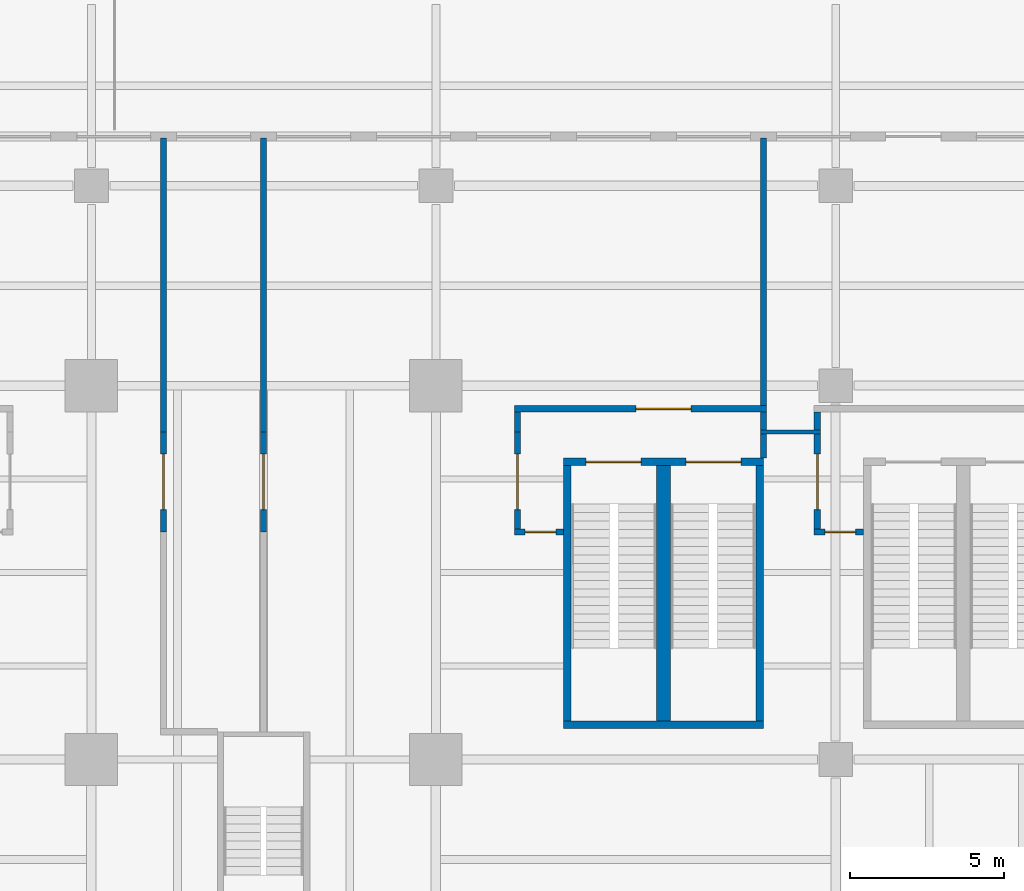
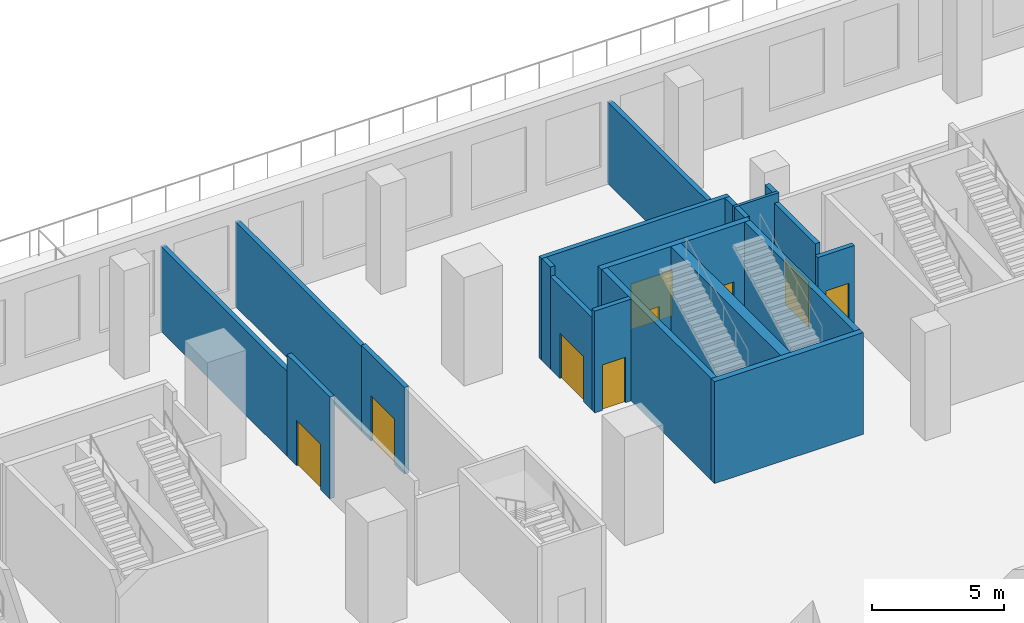
# One storey, part 14 of 18: 20 walls, 9 doors, 9 openings.
"""IFC4 building model written with IfcOpenShell, lengths in metres."""

from ifc_helpers import new_model, si_unit, direction, frame, frame_2d, origin, place, context, subcontext, project, spatial, rectangle, extrude, source, transform, mapped, material, layer, layer_set, type_object, element, fill, save


model = new_model("IFC4")

# Units and contexts
model_context = context("Model", 3, precision=1e-05, world=origin(), true_north=direction((0.0, 1.0)))
body_context = subcontext(model_context, "Body", "Model", "MODEL_VIEW")
ifc_project = project(units=[si_unit("LENGTHUNIT", "METRE"), si_unit("AREAUNIT", "SQUARE_METRE"), si_unit("VOLUMEUNIT", "CUBIC_METRE"), si_unit("PLANEANGLEUNIT", "RADIAN"), si_unit("MASSUNIT", "GRAM", prefix="KILO")], contexts=[model_context])

# Site, building, storey
site_placement = place(None, origin())
site = spatial("IfcSite", under=ifc_project, at=site_placement, CompositionType="ELEMENT")
building_placement = place(site_placement, origin())
building = spatial("IfcBuilding", under=site, at=building_placement, Name="Trellis Farm Tower", CompositionType="ELEMENT")
storey_placement = place(building_placement, frame((0.0, 0.0, 14.0)))
storey = spatial("IfcBuildingStorey", under=building, at=storey_placement, Name="L02", CompositionType="ELEMENT", Elevation=14.0)

# Wall, opening, door
ifc_material_1 = material(Name="Lightweight blockwork, plastered", Category="masonry")
ifc_layer_1 = layer(ifc_material_1, 0.199951171875)
ifc_layer_set_1 = layer_set([ifc_layer_1], Name="BLOCK WALL 200 EI 120")
wall_type_1 = type_object("IfcWallType", Name="BLOCK WALL 200 EI 120", PredefinedType="PARTITIONING", material=ifc_layer_set_1)
shared_shape_1 = source(origin(), body_context, "Body", "SweptSolid", [
    extrude(rectangle(XDim=3.25, YDim=0.199951171875, at=frame_2d((1.625, 0.0))), origin(), (0.0, 0.0, 1.0), 4.699951171875),
])
wall_1_placement = place(storey_placement, frame((-3.25, 26.0, 0.0), z_axis=(0.0, 0.0, 1.0), x_axis=(0.0, 1.0, 0.0)))
wall_1 = element("IfcWall", 1, at=wall_1_placement, inside=storey, type_object=wall_type_1, Name="Partition PW3", PredefinedType="PARTITIONING", context=body_context, shape_type="MappedRepresentation", body=[
    mapped(shared_shape_1, transform((0.0, 0.0, 0.0))),
])
shared_shape_2 = source(origin(), body_context, "Body", "SweptSolid", [
    extrude(rectangle(XDim=1.800048828125, YDim=2.10009765625, at=frame_2d((0.89990234375, 1.050048828125))), frame((0.0, 0.110107421875, 0.0), z_axis=(0.0, -1.0, 0.0), x_axis=(1.0, 0.0, 0.0)), (0.0, 0.0, 1.0), 0.22021484375),
])
opening_1_placement = place(wall_1_placement, frame((0.72509765625, 0.0, 0.0)))
opening_1 = element("IfcOpeningElement", 2, at=opening_1_placement, cuts=wall_1, Name="Opening D415", PredefinedType="OPENING", context=body_context, shape_type="MappedRepresentation", body=[
    mapped(shared_shape_2, transform((0.0, 0.0, 0.0))),
])
ifc_material_2 = material(Name="Fire-rated timber door leaf in a hollow metal frame", Category="wood")
door_type_1 = type_object("IfcDoorType", Name="DOOR PAIR 1800x2100 FD60", OperationType="NOTDEFINED", PredefinedType="DOOR", material=ifc_material_2)
shared_shape_3 = source(origin(), body_context, "Body", "SweptSolid", [
    extrude(rectangle(XDim=1.800048828125, YDim=2.10009765625, at=frame_2d((0.89990234375, 1.050048828125))), frame((0.0, 0.02490234375, 0.0), z_axis=(0.0, -1.0, 0.0), x_axis=(1.0, 0.0, 0.0)), (0.0, 0.0, 1.0), 0.050048828125),
])
door_1_placement = place(opening_1_placement, origin())
door_1 = element("IfcDoor", 3, at=door_1_placement, inside=storey, type_object=door_type_1, Name="Door D415", OperationType="DOUBLE_DOOR_SINGLE_SWING", OverallHeight=2.10009765625, OverallWidth=1.800048828125, PredefinedType="DOOR", context=body_context, shape_type="MappedRepresentation", body=[
    mapped(shared_shape_3, transform((0.0, 0.0, 0.0))),
])
fill(opening_1, door_1)

# Wall, openings, doors
ifc_material_3 = material(Name="Concrete C80/95", Category="concrete")
ifc_layer_2 = layer(ifc_material_3, 0.25)
ifc_layer_set_2 = layer_set([ifc_layer_2], Name="CORE STAIR ENCLOSURE WALL 250 CONCRETE C80/95")
wall_type_2 = type_object("IfcWallType", Name="CORE STAIR ENCLOSURE WALL 250 CONCRETE C80/95", PredefinedType="SHEAR", material=ifc_layer_set_2)
shared_shape_4 = source(origin(), body_context, "Body", "SweptSolid", [
    extrude(rectangle(XDim=6.5, YDim=0.25, at=frame_2d((3.25, 0.0))), origin(), (0.0, 0.0, 1.0), 4.699951171875),
])
wall_2_placement = place(storey_placement, frame((9.75, 28.27490234375, 0.0), z_axis=(0.0, 0.0, 1.0), x_axis=(1.0, 0.0, 0.0)))
wall_2 = element("IfcWall", 4, at=wall_2_placement, inside=storey, type_object=wall_type_2, Name="Podium stair enclosure wall", PredefinedType="SHEAR", context=body_context, shape_type="MappedRepresentation", body=[
    mapped(shared_shape_4, transform((0.0, 0.0, 0.0))),
])
shared_shape_5 = source(origin(), body_context, "Body", "SweptSolid", [
    extrude(rectangle(XDim=1.800048828125, YDim=2.10009765625, at=frame_2d((0.89990234375, 1.050048828125))), frame((0.0, 0.135009765625, 0.0), z_axis=(0.0, -1.0, 0.0), x_axis=(1.0, 0.0, 0.0)), (0.0, 0.0, 1.0), 0.27001953125),
])
opening_2_placement = place(wall_2_placement, frame((0.72509765625, 0.0, 0.0)))
opening_2 = element("IfcOpeningElement", 5, at=opening_2_placement, cuts=wall_2, Name="Opening DP5", PredefinedType="OPENING", context=body_context, shape_type="MappedRepresentation", body=[
    mapped(shared_shape_5, transform((0.0, 0.0, 0.0))),
])
opening_3_placement = place(wall_2_placement, frame((3.97509765625, 0.0, 0.0)))
opening_3 = element("IfcOpeningElement", 6, at=opening_3_placement, cuts=wall_2, Name="Opening DP6", PredefinedType="OPENING", context=body_context, shape_type="MappedRepresentation", body=[
    mapped(shared_shape_5, transform((0.0, 0.0, 0.0))),
])
ifc_material_4 = material(Name="Steel", Category="steel")
door_type_2 = type_object("IfcDoorType", Name="CORE FIRE DOOR DOUBLE 1800 X 2100", OperationType="DOUBLE_DOOR_SINGLE_SWING", PredefinedType="DOOR", material=ifc_material_4)
door_2_placement = place(opening_2_placement, origin())
door_2 = element("IfcDoor", 7, at=door_2_placement, inside=storey, type_object=door_type_2, Name="Podium stair door", OperationType="DOUBLE_DOOR_SINGLE_SWING", OverallHeight=2.10009765625, OverallWidth=1.800048828125, PredefinedType="DOOR", context=body_context, shape_type="MappedRepresentation", body=[
    mapped(shared_shape_3, transform((0.0, 0.0, 0.0))),
])
fill(opening_2, door_2)
door_3_placement = place(opening_3_placement, origin())
door_3 = element("IfcDoor", 8, at=door_3_placement, inside=storey, type_object=door_type_2, Name="Podium stair door", OperationType="DOUBLE_DOOR_SINGLE_SWING", OverallHeight=2.10009765625, OverallWidth=1.800048828125, PredefinedType="DOOR", context=body_context, shape_type="MappedRepresentation", body=[
    mapped(shared_shape_3, transform((0.0, 0.0, 0.0))),
])
fill(opening_3, door_3)

# Walls
wall_3_placement = place(storey_placement, frame((9.75, 19.72509765625, 0.0), z_axis=(0.0, 0.0, 1.0), x_axis=(1.0, 0.0, 0.0)))
element("IfcWall", 9, at=wall_3_placement, inside=storey, type_object=wall_type_2, Name="Podium stair enclosure wall", PredefinedType="SHEAR", context=body_context, shape_type="MappedRepresentation", body=[
    mapped(shared_shape_4, transform((0.0, 0.0, 0.0))),
])
shared_shape_6 = source(origin(), body_context, "Body", "SweptSolid", [
    extrude(rectangle(XDim=8.2998046875, YDim=0.25, at=frame_2d((4.14990234375, 0.0))), origin(), (0.0, 0.0, 1.0), 4.699951171875),
])
for number, where, z_axis, x_axis, name in (
    (10, (9.875, 19.85009765625, 0.0), (0.0, 0.0, 1.0), (0.0, 1.0, 0.0), "Podium stair enclosure wall"),
    (11, (16.125, 19.85009765625, 0.0), (0.0, 0.0, 1.0), (0.0, 1.0, 0.0), "Podium stair enclosure wall"),
):
    element("IfcWall", number, at=place(storey_placement, frame(where, z_axis=z_axis, x_axis=x_axis)), inside=storey, type_object=wall_type_2, Name=name, PredefinedType="SHEAR", context=body_context, shape_type="MappedRepresentation", body=[
        mapped(shared_shape_6, transform((0.0, 0.0, 0.0))),
    ])
ifc_layer_3 = layer(ifc_material_3, 0.43994140625)
ifc_layer_set_3 = layer_set([ifc_layer_3], Name="CORE STAIR ENCLOSURE WALL 440 CONCRETE C80/95")
wall_type_3 = type_object("IfcWallType", Name="CORE STAIR ENCLOSURE WALL 440 CONCRETE C80/95", PredefinedType="SHEAR", material=ifc_layer_set_3)
shared_shape_7 = source(origin(), body_context, "Body", "SweptSolid", [
    extrude(rectangle(XDim=8.2998046875, YDim=0.43994140625, at=frame_2d((4.14990234375, 0.0))), origin(), (0.0, 0.0, 1.0), 4.699951171875),
])
wall_4_placement = place(storey_placement, frame((13.0, 19.85009765625, 0.0), z_axis=(0.0, 0.0, 1.0), x_axis=(0.0, 1.0, 0.0)))
element("IfcWall", 12, at=wall_4_placement, inside=storey, type_object=wall_type_3, Name="Podium stair enclosure wall", PredefinedType="SHEAR", context=body_context, shape_type="MappedRepresentation", body=[
    mapped(shared_shape_7, transform((0.0, 0.0, 0.0))),
])
shared_shape_8 = source(origin(), body_context, "Body", "SweptSolid", [
    extrude(rectangle(XDim=0.78759765625, YDim=0.199951171875, at=frame_2d((0.393798828125, 0.0))), origin(), (0.0, 0.0, 1.0), 4.699951171875),
])
wall_5_placement = place(storey_placement, frame((16.25, 28.39990234375, 0.0), z_axis=(0.0, 0.0, 1.0), x_axis=(0.0, 1.0, 0.0)))
element("IfcWall", 13, at=wall_5_placement, inside=storey, type_object=wall_type_1, Name="Partition PW3", PredefinedType="PARTITIONING", context=body_context, shape_type="MappedRepresentation", body=[
    mapped(shared_shape_8, transform((0.0, 0.0, 0.0))),
])
shared_shape_9 = source(origin(), body_context, "Body", "SweptSolid", [
    extrude(rectangle(XDim=0.58740234375, YDim=0.199951171875, at=frame_2d((0.293701171875, 0.0))), origin(), (0.0, 0.0, 1.0), 4.699951171875),
])
for number, where, z_axis, x_axis, name in (
    (14, (16.25, 29.89990234375, 0.0), (0.0, 0.0, 1.0), (0.0, -1.0, 0.0), "Partition PW3"),
    (15, (18.0, 29.89990234375, 0.0), (0.0, 0.0, 1.0), (0.0, -1.0, 0.0), "Partition PW3"),
):
    element("IfcWall", number, at=place(storey_placement, frame(where, z_axis=z_axis, x_axis=x_axis)), inside=storey, type_object=wall_type_1, Name=name, PredefinedType="PARTITIONING", context=body_context, shape_type="MappedRepresentation", body=[
        mapped(shared_shape_9, transform((0.0, 0.0, 0.0))),
    ])

# Wall, opening, door
shared_shape_10 = source(origin(), body_context, "Body", "SweptSolid", [
    extrude(rectangle(XDim=3.08740234375, YDim=0.199951171875, at=frame_2d((1.543701171875, 0.0))), origin(), (0.0, 0.0, 1.0), 4.273681640625),
])
wall_6_placement = place(storey_placement, frame((18.0, 26.10009765625, 0.0), z_axis=(0.0, 0.0, 1.0), x_axis=(0.0, 1.0, 0.0)))
wall_6 = element("IfcWall", 16, at=wall_6_placement, inside=storey, type_object=wall_type_1, Name="Partition PW3", PredefinedType="PARTITIONING", context=body_context, shape_type="MappedRepresentation", body=[
    mapped(shared_shape_10, transform((0.0, 0.0, 0.0))),
])
opening_4_placement = place(wall_6_placement, frame((0.625, 0.0, 0.0)))
opening_4 = element("IfcOpeningElement", 17, at=opening_4_placement, cuts=wall_6, Name="Opening D418", PredefinedType="OPENING", context=body_context, shape_type="MappedRepresentation", body=[
    mapped(shared_shape_2, transform((0.0, 0.0, 0.0))),
])
door_4_placement = place(opening_4_placement, origin())
door_4 = element("IfcDoor", 18, at=door_4_placement, inside=storey, type_object=door_type_1, Name="Door D418", OperationType="DOUBLE_DOOR_SINGLE_SWING", OverallHeight=2.10009765625, OverallWidth=1.800048828125, PredefinedType="DOOR", context=body_context, shape_type="MappedRepresentation", body=[
    mapped(shared_shape_3, transform((0.0, 0.0, 0.0))),
])
fill(opening_4, door_4)

# Walls
shared_shape_11 = source(origin(), body_context, "Body", "SweptSolid", [
    extrude(rectangle(XDim=8.699951171875, YDim=0.199951171875, at=frame_2d((4.35009765625, 0.0))), origin(), (0.0, 0.0, 1.0), 3.76171875),
])
wall_7_placement = place(storey_placement, frame((16.25, 30.10009765625, 0.0), z_axis=(0.0, 0.0, 1.0), x_axis=(0.0, 1.0, 0.0)))
element("IfcWall", 19, at=wall_7_placement, inside=storey, type_object=wall_type_1, Name="Partition PW3", PredefinedType="PARTITIONING", context=body_context, shape_type="MappedRepresentation", body=[
    mapped(shared_shape_11, transform((0.0, 0.0, 0.0))),
])
shared_shape_12 = source(origin(), body_context, "Body", "SweptSolid", [
    extrude(rectangle(XDim=9.550048828125, YDim=0.199951171875, at=frame_2d((4.77490234375, 0.0))), origin(), (0.0, 0.0, 1.0), 3.917724609375),
])
for number, where, z_axis, x_axis, name in (
    (20, (-3.25, 29.25, 0.0), (0.0, 0.0, 1.0), (0.0, 1.0, 0.0), "Partition PW3"),
    (21, (0.0, 38.800048828125, 0.0), (0.0, 0.0, 1.0), (0.0, -1.0, 0.0), "Partition PW3"),
):
    element("IfcWall", number, at=place(storey_placement, frame(where, z_axis=z_axis, x_axis=x_axis)), inside=storey, type_object=wall_type_1, Name=name, PredefinedType="PARTITIONING", context=body_context, shape_type="MappedRepresentation", body=[
        mapped(shared_shape_12, transform((0.0, 0.0, 0.0))),
    ])

# Wall, opening, door
shared_shape_13 = source(origin(), body_context, "Body", "SweptSolid", [
    extrude(rectangle(XDim=3.14990234375, YDim=0.199951171875, at=frame_2d((1.574951171875, 0.0))), origin(), (0.0, 0.0, 1.0), 4.273681640625),
])
wall_8_placement = place(storey_placement, frame((8.25, 26.10009765625, 0.0), z_axis=(0.0, 0.0, 1.0), x_axis=(0.0, 1.0, 0.0)))
wall_8 = element("IfcWall", 22, at=wall_8_placement, inside=storey, type_object=wall_type_1, Name="Partition PW3", PredefinedType="PARTITIONING", context=body_context, shape_type="MappedRepresentation", body=[
    mapped(shared_shape_13, transform((0.0, 0.0, 0.0))),
])
opening_5_placement = place(wall_8_placement, frame((0.625, 0.0, 0.0)))
opening_5 = element("IfcOpeningElement", 23, at=opening_5_placement, cuts=wall_8, Name="Opening D417", PredefinedType="OPENING", context=body_context, shape_type="MappedRepresentation", body=[
    mapped(shared_shape_2, transform((0.0, 0.0, 0.0))),
])
door_5_placement = place(opening_5_placement, origin())
door_5 = element("IfcDoor", 24, at=door_5_placement, inside=storey, type_object=door_type_1, Name="Door D417", OperationType="DOUBLE_DOOR_SINGLE_SWING", OverallHeight=2.10009765625, OverallWidth=1.800048828125, PredefinedType="DOOR", context=body_context, shape_type="MappedRepresentation", body=[
    mapped(shared_shape_3, transform((0.0, 0.0, 0.0))),
])
fill(opening_5, door_5)

# Wall
shared_shape_14 = source(origin(), body_context, "Body", "SweptSolid", [
    extrude(rectangle(XDim=0.64990234375, YDim=0.199951171875, at=frame_2d((0.324951171875, 0.0))), origin(), (0.0, 0.0, 1.0), 4.699951171875),
])
wall_9_placement = place(storey_placement, frame((8.25, 29.25, 0.0), z_axis=(0.0, 0.0, 1.0), x_axis=(0.0, 1.0, 0.0)))
element("IfcWall", 25, at=wall_9_placement, inside=storey, type_object=wall_type_1, Name="Partition PW3", PredefinedType="PARTITIONING", context=body_context, shape_type="MappedRepresentation", body=[
    mapped(shared_shape_14, transform((0.0, 0.0, 0.0))),
])

# Wall, opening, door
shared_shape_15 = source(origin(), body_context, "Body", "SweptSolid", [
    extrude(rectangle(XDim=8.2001953125, YDim=0.199951171875, at=frame_2d((4.10009765625, 0.0))), origin(), (0.0, 0.0, 1.0), 4.699951171875),
])
wall_10_placement = place(storey_placement, frame((8.14990234375, 30.0, 0.0), z_axis=(0.0, 0.0, 1.0), x_axis=(1.0, 0.0, 0.0)))
wall_10 = element("IfcWall", 26, at=wall_10_placement, inside=storey, type_object=wall_type_1, Name="Partition PW3", PredefinedType="PARTITIONING", context=body_context, shape_type="MappedRepresentation", body=[
    mapped(shared_shape_15, transform((0.0, 0.0, 0.0))),
])
opening_6_placement = place(wall_10_placement, frame((3.949951171875, 0.0, 0.0)))
opening_6 = element("IfcOpeningElement", 27, at=opening_6_placement, cuts=wall_10, Name="Opening D420", PredefinedType="OPENING", context=body_context, shape_type="MappedRepresentation", body=[
    mapped(shared_shape_2, transform((0.0, 0.0, 0.0))),
])
door_6_placement = place(opening_6_placement, origin())
door_6 = element("IfcDoor", 28, at=door_6_placement, inside=storey, type_object=door_type_1, Name="Door D420", OperationType="DOUBLE_DOOR_SINGLE_SWING", OverallHeight=2.10009765625, OverallWidth=1.800048828125, PredefinedType="DOOR", context=body_context, shape_type="MappedRepresentation", body=[
    mapped(shared_shape_3, transform((0.0, 0.0, 0.0))),
])
fill(opening_6, door_6)

# Wall
ifc_material_5 = material(Name="Plasterboard on steel studs, mineral wool", Category="steel")
ifc_layer_4 = layer(ifc_material_5, 0.125)
ifc_layer_set_4 = layer_set([ifc_layer_4], Name="PARTITION 125 STUD EI 60")
wall_type_4 = type_object("IfcWallType", Name="PARTITION 125 STUD EI 60", PredefinedType="PARTITIONING", material=ifc_layer_set_4)
shared_shape_16 = source(origin(), body_context, "Body", "SweptSolid", [
    extrude(rectangle(XDim=1.9501953125, YDim=0.125, at=frame_2d((0.97509765625, 0.0))), origin(), (0.0, 0.0, 1.0), 4.699951171875),
])
wall_11_placement = place(storey_placement, frame((16.14990234375, 29.25, 0.0), z_axis=(0.0, 0.0, 1.0), x_axis=(1.0, 0.0, 0.0)))
element("IfcWall", 29, at=wall_11_placement, inside=storey, type_object=wall_type_4, Name="Partition PW1", PredefinedType="PARTITIONING", context=body_context, shape_type="MappedRepresentation", body=[
    mapped(shared_shape_16, transform((0.0, 0.0, 0.0))),
])

# Wall, opening, door
shared_shape_17 = source(origin(), body_context, "Body", "SweptSolid", [
    extrude(rectangle(XDim=1.60009765625, YDim=0.199951171875, at=frame_2d((0.800048828125, 0.0))), origin(), (0.0, 0.0, 1.0), 4.699951171875),
])
wall_12_placement = place(storey_placement, frame((8.14990234375, 26.0, 0.0), z_axis=(0.0, 0.0, 1.0), x_axis=(1.0, 0.0, 0.0)))
wall_12 = element("IfcWall", 30, at=wall_12_placement, inside=storey, type_object=wall_type_1, Name="Partition PW3", PredefinedType="PARTITIONING", context=body_context, shape_type="MappedRepresentation", body=[
    mapped(shared_shape_17, transform((0.0, 0.0, 0.0))),
])
shared_shape_18 = source(origin(), body_context, "Body", "SweptSolid", [
    extrude(rectangle(XDim=1.0, YDim=2.10009765625, at=frame_2d((0.5, 1.050048828125))), frame((0.0, 0.110107421875, 0.0), z_axis=(0.0, -1.0, 0.0), x_axis=(1.0, 0.0, 0.0)), (0.0, 0.0, 1.0), 0.22021484375),
])
opening_7_placement = place(wall_12_placement, frame((0.35009765625, 0.0, 0.0)))
opening_7 = element("IfcOpeningElement", 31, at=opening_7_placement, cuts=wall_12, Name="Opening D308", PredefinedType="OPENING", context=body_context, shape_type="MappedRepresentation", body=[
    mapped(shared_shape_18, transform((0.0, 0.0, 0.0))),
])
door_type_3 = type_object("IfcDoorType", Name="DOOR 1000x2100 FD60", OperationType="NOTDEFINED", PredefinedType="DOOR", material=ifc_material_2)
shared_shape_19 = source(origin(), body_context, "Body", "SweptSolid", [
    extrude(rectangle(XDim=1.0, YDim=2.10009765625, at=frame_2d((0.5, 1.050048828125))), frame((0.0, 0.02490234375, 0.0), z_axis=(0.0, -1.0, 0.0), x_axis=(1.0, 0.0, 0.0)), (0.0, 0.0, 1.0), 0.050048828125),
])
door_7_placement = place(opening_7_placement, origin())
door_7 = element("IfcDoor", 32, at=door_7_placement, inside=storey, type_object=door_type_3, Name="Door D308", OperationType="SINGLE_SWING_LEFT", OverallHeight=2.10009765625, OverallWidth=1.0, PredefinedType="DOOR", context=body_context, shape_type="MappedRepresentation", body=[
    mapped(shared_shape_19, transform((0.0, 0.0, 0.0))),
])
fill(opening_7, door_7)

shared_shape_20 = source(origin(), body_context, "Body", "SweptSolid", [
    extrude(rectangle(XDim=1.60009765625, YDim=0.199951171875, at=frame_2d((0.800048828125, 0.0))), origin(), (0.0, 0.0, 1.0), 3.76171875),
])
wall_13_placement = place(storey_placement, frame((17.89990234375, 26.0, 0.0), z_axis=(0.0, 0.0, 1.0), x_axis=(1.0, 0.0, 0.0)))
wall_13 = element("IfcWall", 33, at=wall_13_placement, inside=storey, type_object=wall_type_1, Name="Partition PW3", PredefinedType="PARTITIONING", context=body_context, shape_type="MappedRepresentation", body=[
    mapped(shared_shape_20, transform((0.0, 0.0, 0.0))),
])
opening_8_placement = place(wall_13_placement, frame((0.35009765625, 0.0, 0.0)))
opening_8 = element("IfcOpeningElement", 34, at=opening_8_placement, cuts=wall_13, Name="Opening D309", PredefinedType="OPENING", context=body_context, shape_type="MappedRepresentation", body=[
    mapped(shared_shape_18, transform((0.0, 0.0, 0.0))),
])
door_8_placement = place(opening_8_placement, origin())
door_8 = element("IfcDoor", 35, at=door_8_placement, inside=storey, type_object=door_type_3, Name="Door D309", OperationType="SINGLE_SWING_LEFT", OverallHeight=2.10009765625, OverallWidth=1.0, PredefinedType="DOOR", context=body_context, shape_type="MappedRepresentation", body=[
    mapped(shared_shape_19, transform((0.0, 0.0, 0.0))),
])
fill(opening_8, door_8)

shared_shape_21 = source(origin(), body_context, "Body", "SweptSolid", [
    extrude(rectangle(XDim=3.25, YDim=0.199951171875, at=frame_2d((1.625, 0.0))), origin(), (0.0, 0.0, 1.0), 3.996337890625),
])
wall_14_placement = place(storey_placement, frame((0.0, 29.25, 0.0), z_axis=(0.0, 0.0, 1.0), x_axis=(0.0, -1.0, 0.0)))
wall_14 = element("IfcWall", 36, at=wall_14_placement, inside=storey, type_object=wall_type_1, Name="Partition PW3", PredefinedType="PARTITIONING", context=body_context, shape_type="MappedRepresentation", body=[
    mapped(shared_shape_21, transform((0.0, 0.0, 0.0))),
])
opening_9_placement = place(wall_14_placement, frame((0.72509765625, 0.0, 0.0)))
opening_9 = element("IfcOpeningElement", 37, at=opening_9_placement, cuts=wall_14, Name="Opening D416", PredefinedType="OPENING", context=body_context, shape_type="MappedRepresentation", body=[
    mapped(shared_shape_2, transform((0.0, 0.0, 0.0))),
])
door_9_placement = place(opening_9_placement, origin())
door_9 = element("IfcDoor", 38, at=door_9_placement, inside=storey, type_object=door_type_1, Name="Door D416", OperationType="DOUBLE_DOOR_SINGLE_SWING", OverallHeight=2.10009765625, OverallWidth=1.800048828125, PredefinedType="DOOR", context=body_context, shape_type="MappedRepresentation", body=[
    mapped(shared_shape_3, transform((0.0, 0.0, 0.0))),
])
fill(opening_9, door_9)

save(model, "model.ifc")
